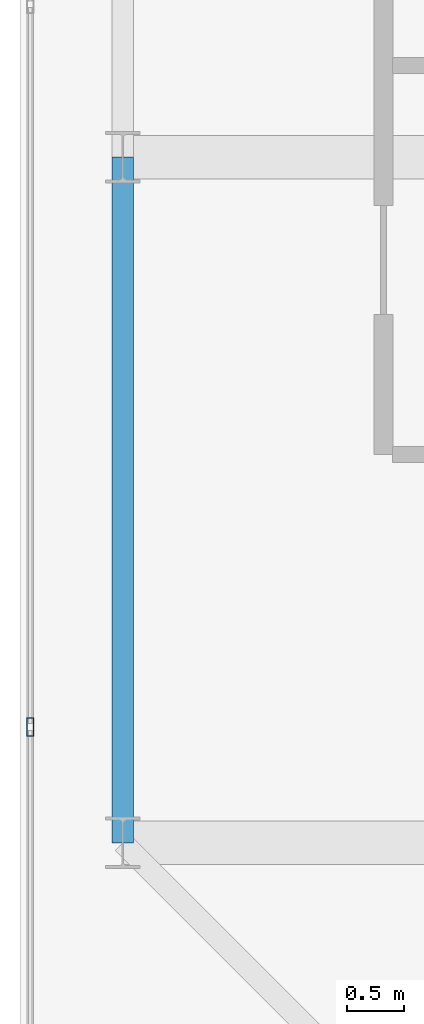
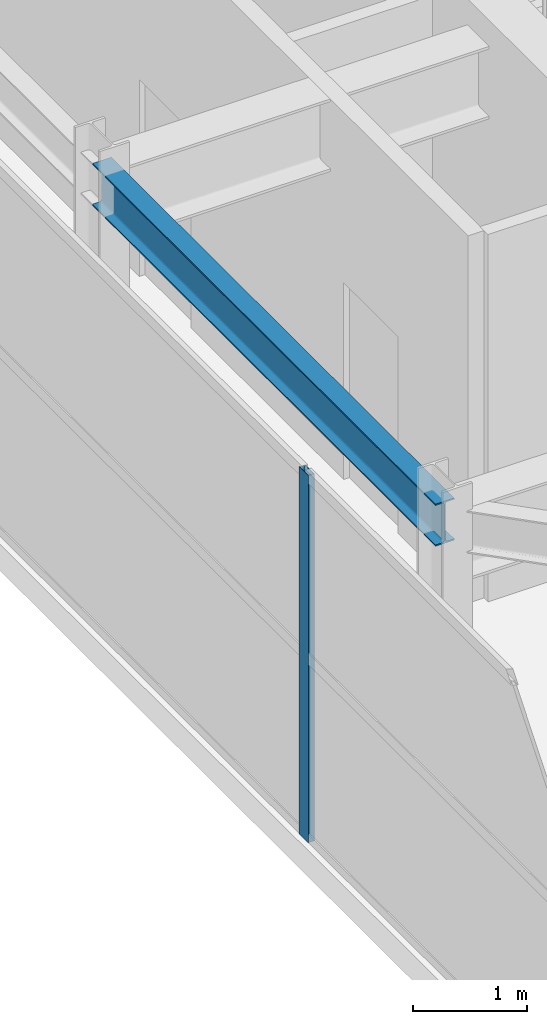
# One storey, part 5 of 32: 1 beam, 1 member, 1 element without a shape of its own.
"""IFC4 building model written with IfcOpenShell, lengths in metres."""

from ifc_helpers import new_model, si_unit, direction, frame, origin, origin_2d, place, context, subcontext, project, spatial, hollow_rectangle, i_section, extrude, source, transform, mapped, material, layer, layer_set, material_profile, profile_set, type_object, element, aggregate, save


model = new_model("IFC4")

# Units and contexts
model_context = context("Model", 3, precision=1e-05, world=origin(), true_north=direction((0.0, 1.0)))
body_context = subcontext(model_context, "Body", "Model", "MODEL_VIEW")
ifc_project = project(units=[si_unit("LENGTHUNIT", "METRE"), si_unit("AREAUNIT", "SQUARE_METRE"), si_unit("VOLUMEUNIT", "CUBIC_METRE"), si_unit("PLANEANGLEUNIT", "RADIAN"), si_unit("MASSUNIT", "GRAM", prefix="KILO")], contexts=[model_context])

# Site, building, storey
site_placement = place(None, origin())
site = spatial("IfcSite", under=ifc_project, at=site_placement, CompositionType="ELEMENT")
building_placement = place(site_placement, origin())
building = spatial("IfcBuilding", under=site, at=building_placement, Name="Khoralis Quay Care Tower", CompositionType="ELEMENT")
storey_placement = place(building_placement, frame((0.0, 0.0, 297.89990234375)))
storey = spatial("IfcBuildingStorey", under=building, at=storey_placement, Name="L78", CompositionType="ELEMENT", Elevation=297.89990234375)

# Beam
ifc_material_1 = material(Name="Steel S355", Category="steel")
ifc_material_profile_1 = material_profile(ifc_material_1, i_section(OverallWidth=0.18994140625, OverallDepth=0.449951171875, WebThickness=0.009521484375, FlangeThickness=0.0146484375, FilletRadius=0.02099609375, at=origin_2d()), Name="Steel S355")
ifc_profile_set_1 = profile_set([ifc_material_profile_1], Name="Steel S355")
beam_type = type_object("IfcBeamType", Name="BM-IPE450", PredefinedType="SPANDREL", material=ifc_profile_set_1)
shared_shape_1 = source(origin(), body_context, "Body", "SweptSolid", [
    extrude(i_section(OverallWidth=0.18994140625, OverallDepth=0.449951171875, WebThickness=0.009521484375, FlangeThickness=0.0146484375, FilletRadius=0.02099609375, at=origin_2d()), origin(), (0.0, 0.0, 1.0), 6.0),
])
beam_placement = place(storey_placement, frame((3.89990234375, 12.0, 3.695068359375), z_axis=(0.0, 1.0, 0.0), x_axis=(-1.0, 0.0, 0.0)))
element("IfcBeam", 1, at=beam_placement, inside=storey, type_object=beam_type, Name="BM-TSP-L78-09", PredefinedType="SPANDREL", context=body_context, shape_type="MappedRepresentation", body=[
    mapped(shared_shape_1, transform((0.0, 0.0, 0.0), scale=1.0)),
])

# Curtain wall, member
ifc_material_2 = material(Name="Pale anodised aluminium", Category="aluminium")
ifc_layer = layer(ifc_material_2, 0.199951171875)
ifc_layer_set = layer_set([ifc_layer], Name="Pale anodised aluminium")
curtain_wall_type = type_object("IfcCurtainWallType", Name="CW-SYS-LANTERN", PredefinedType="NOTDEFINED", material=ifc_layer_set)
curtain_wall_placement = place(storey_placement, origin())
curtain_wall = element("IfcCurtainWall", 2, at=curtain_wall_placement, inside=storey, type_object=curtain_wall_type, Name="L78 Unitised Curtain Wall CW-LN-L78-16", PredefinedType="NOTDEFINED")
ifc_material_profile_2 = material_profile(ifc_material_2, hollow_rectangle(XDim=0.06005859375, YDim=0.159912109375, WallThickness=0.00390625, at=origin_2d()), Name="Pale anodised aluminium")
ifc_profile_set_2 = profile_set([ifc_material_profile_2], Name="Pale anodised aluminium")
member_type = type_object("IfcMemberType", Name="CW-MUL-160", PredefinedType="MULLION", material=ifc_profile_set_2)
shared_shape_2 = source(origin(), body_context, "Body", "SweptSolid", [
    extrude(hollow_rectangle(XDim=0.06005859375, YDim=0.159912109375, WallThickness=0.00390625, at=origin_2d()), origin(), (0.0, 0.0, 1.0), 3.920166015625),
])
member_placement = place(storey_placement, frame((3.090087890625, 13.013916015625, 0.0), z_axis=(0.0, 0.0, 1.0), x_axis=(1.0, 0.0, 0.0)))
member = element("IfcMember", 3, at=member_placement, type_object=member_type, Name="CW5 mullion 5", PredefinedType="MULLION", context=body_context, shape_type="MappedRepresentation", body=[
    mapped(shared_shape_2, transform((0.0, 0.0, 0.0), scale=1.0)),
])
aggregate(curtain_wall, [member])

save(model, "model.ifc")
